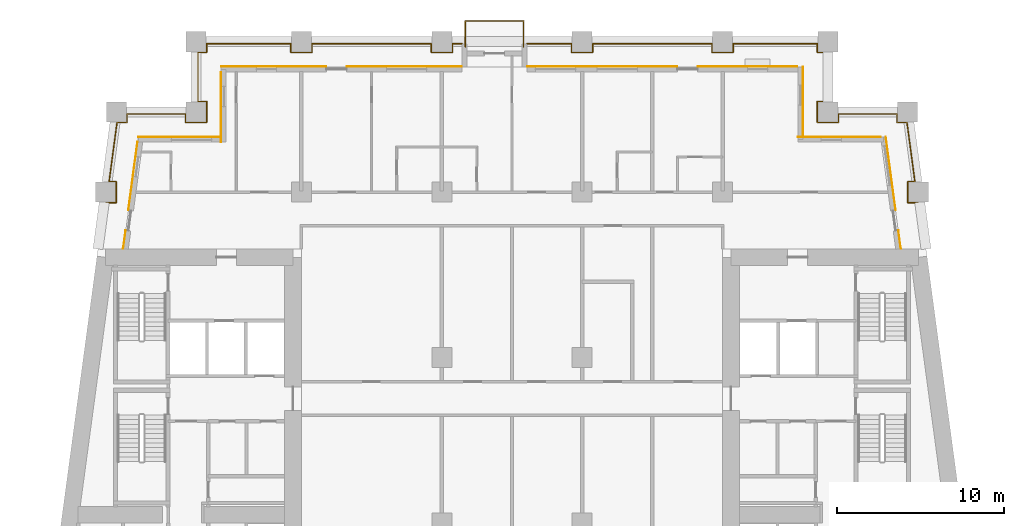
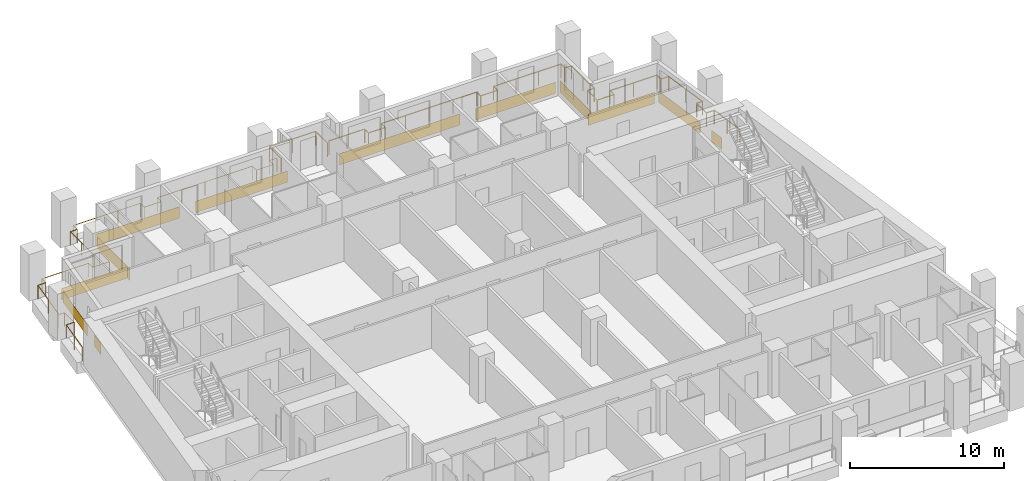
# One storey, part 12 of 13: 12 coverings, 3 railings.
"""IFC4 building model written with IfcOpenShell, lengths in metres."""

from ifc_helpers import new_model, si_unit, direction, frame, origin, origin_2d, place, context, subcontext, project, spatial, rectangle, circle, extrude, material, layer, layer_set, type_object, element, save


model = new_model("IFC4")

# Units and contexts
model_context = context("Model", 3, precision=1e-05, world=origin(), true_north=direction((0.0, 1.0)))
body_context = subcontext(model_context, "Body", "Model", "MODEL_VIEW")
ifc_project = project(units=[si_unit("LENGTHUNIT", "METRE"), si_unit("AREAUNIT", "SQUARE_METRE"), si_unit("VOLUMEUNIT", "CUBIC_METRE"), si_unit("PLANEANGLEUNIT", "RADIAN"), si_unit("MASSUNIT", "GRAM", prefix="KILO")], contexts=[model_context])

# Site, building, storey
site_placement = place(None, origin())
site = spatial("IfcSite", under=ifc_project, at=site_placement, CompositionType="ELEMENT")
building_placement = place(site_placement, origin())
building = spatial("IfcBuilding", under=site, at=building_placement, Name="Candeia Pilgrim Tower and Theatre", CompositionType="ELEMENT")
storey_placement = place(building_placement, frame((0.0, 0.0, 113.199951171875)))
storey = spatial("IfcBuildingStorey", under=building, at=storey_placement, Name="L26", CompositionType="ELEMENT", Elevation=113.199951171875)

# Railings
ifc_material_1 = material(Name="Stainless steel balustrade", Category="steel")
railing_type = type_object("IfcRailingType", Name="G1 loggia guard 1100", PredefinedType="GUARDRAIL", material=ifc_material_1)
railing_1_placement = place(storey_placement, frame((88.758544921875, 132.449951171875, 0.0)))
element("IfcRailing", 1, at=railing_1_placement, inside=storey, type_object=railing_type, Name="Guard L26.2", PredefinedType="GUARDRAIL", context=body_context, shape_type="SweptSolid", body=[
    extrude(circle(Radius=0.02392578125, at=origin_2d()), frame((0.0, 0.0, 1.076171875), z_axis=(0.133433855259, 0.991057720958, 0.0), x_axis=(-0.991057720958, 0.133433855259, 0.0)), (0.0, 0.0, 1.0), 2.74462890625),
    extrude(circle(Radius=0.02392578125, at=origin_2d()), frame((0.3662109375, 2.719970703125, 1.076171875), z_axis=(1.0, 0.0, 0.0), x_axis=(0.0, 1.0, 0.0)), (0.0, 0.0, 1.0), 0.59375),
    extrude(circle(Radius=0.02392578125, at=origin_2d()), frame((0.9599609375, 2.719970703125, 1.076171875), z_axis=(0.0, 1.0, 0.0), x_axis=(-1.0, 0.0, 0.0)), (0.0, 0.0, 1.0), 1.260009765625),
    extrude(circle(Radius=0.02392578125, at=origin_2d()), frame((0.9599609375, 3.97998046875, 1.076171875), z_axis=(-1.0, 0.0, 0.0), x_axis=(0.0, -1.0, 0.0)), (0.0, 0.0, 1.0), 0.424072265625),
    extrude(circle(Radius=0.02392578125, at=origin_2d()), frame((0.535888671875, 3.97998046875, 1.076171875), z_axis=(0.133417176173, 0.991059966451, 0.0), x_axis=(-0.991059966451, 0.133417176173, 0.0)), (0.0, 0.0, 1.0), 3.572021484375),
    extrude(circle(Radius=0.02392578125, at=origin_2d()), frame((1.012451171875, 7.52001953125, 1.076171875), z_axis=(1.0, 0.0, 0.0), x_axis=(0.0, 1.0, 0.0)), (0.0, 0.0, 1.0), 0.593505859375),
    extrude(circle(Radius=0.02392578125, at=origin_2d()), frame((1.60595703125, 7.52001953125, 1.076171875), z_axis=(0.0, 1.0, 0.0), x_axis=(-1.0, 0.0, 0.0)), (0.0, 0.0, 1.0), 0.510009765625),
    extrude(circle(Radius=0.02392578125, at=origin_2d()), frame((1.60595703125, 8.030029296875, 1.076171875), z_axis=(1.0, 0.0, 0.0), x_axis=(0.0, 1.0, 0.0)), (0.0, 0.0, 1.0), 3.505615234375),
    extrude(circle(Radius=0.02392578125, at=origin_2d()), frame((5.111572265625, 8.030029296875, 1.076171875), z_axis=(0.0, -1.0, 0.0), x_axis=(1.0, 0.0, 0.0)), (0.0, 0.0, 1.0), 0.510009765625),
    extrude(circle(Radius=0.02392578125, at=origin_2d()), frame((5.111572265625, 7.52001953125, 1.076171875), z_axis=(1.0, 0.0, 0.0), x_axis=(0.0, 1.0, 0.0)), (0.0, 0.0, 1.0), 1.259765625),
    extrude(circle(Radius=0.02392578125, at=origin_2d()), frame((6.371337890625, 7.52001953125, 1.076171875), z_axis=(0.0, 1.0, 0.0), x_axis=(-1.0, 0.0, 0.0)), (0.0, 0.0, 1.0), 1.260009765625),
    extrude(circle(Radius=0.02392578125, at=origin_2d()), frame((6.371337890625, 8.780029296875, 1.076171875), z_axis=(-1.0, 0.0, 0.0), x_axis=(0.0, -1.0, 0.0)), (0.0, 0.0, 1.0), 0.509765625),
    extrude(circle(Radius=0.02392578125, at=origin_2d()), frame((5.861572265625, 8.780029296875, 1.076171875), z_axis=(0.0, 1.0, 0.0), x_axis=(-1.0, 0.0, 0.0)), (0.0, 0.0, 1.0), 2.93994140625),
    extrude(circle(Radius=0.02392578125, at=origin_2d()), frame((5.861572265625, 11.719970703125, 1.076171875), z_axis=(1.0, 0.0, 0.0), x_axis=(0.0, 1.0, 0.0)), (0.0, 0.0, 1.0), 0.509765625),
    extrude(circle(Radius=0.02392578125, at=origin_2d()), frame((6.371337890625, 11.719970703125, 1.076171875), z_axis=(0.0, 1.0, 0.0), x_axis=(-1.0, 0.0, 0.0)), (0.0, 0.0, 1.0), 0.510009765625),
    extrude(circle(Radius=0.02392578125, at=origin_2d()), frame((6.371337890625, 12.22998046875, 1.076171875), z_axis=(1.0, 0.0, 0.0), x_axis=(0.0, 1.0, 0.0)), (0.0, 0.0, 1.0), 5.0400390625),
    extrude(circle(Radius=0.02392578125, at=origin_2d()), frame((11.411376953125, 12.22998046875, 1.076171875), z_axis=(0.0, -1.0, 0.0), x_axis=(1.0, 0.0, 0.0)), (0.0, 0.0, 1.0), 0.510009765625),
    extrude(circle(Radius=0.02392578125, at=origin_2d()), frame((11.411376953125, 11.719970703125, 1.076171875), z_axis=(1.0, 0.0, 0.0), x_axis=(0.0, 1.0, 0.0)), (0.0, 0.0, 1.0), 1.260009765625),
    extrude(circle(Radius=0.02392578125, at=origin_2d()), frame((12.67138671875, 11.719970703125, 1.076171875), z_axis=(0.0, 1.0, 0.0), x_axis=(-1.0, 0.0, 0.0)), (0.0, 0.0, 1.0), 0.510009765625),
    extrude(circle(Radius=0.02392578125, at=origin_2d()), frame((12.67138671875, 12.22998046875, 1.076171875), z_axis=(1.0, 0.0, 0.0), x_axis=(0.0, 1.0, 0.0)), (0.0, 0.0, 1.0), 7.14013671875),
    extrude(circle(Radius=0.02392578125, at=origin_2d()), frame((19.8115234375, 12.22998046875, 1.076171875), z_axis=(0.0, -1.0, 0.0), x_axis=(1.0, 0.0, 0.0)), (0.0, 0.0, 1.0), 0.510009765625),
    extrude(circle(Radius=0.02392578125, at=origin_2d()), frame((19.8115234375, 11.719970703125, 1.076171875), z_axis=(1.0, 0.0, 0.0), x_axis=(0.0, 1.0, 0.0)), (0.0, 0.0, 1.0), 1.260009765625),
    extrude(circle(Radius=0.02392578125, at=origin_2d()), frame((21.071533203125, 11.719970703125, 1.076171875), z_axis=(0.0, 1.0, 0.0), x_axis=(-1.0, 0.0, 0.0)), (0.0, 0.0, 1.0), 0.510009765625),
    extrude(circle(Radius=0.02392578125, at=origin_2d()), frame((21.071533203125, 12.22998046875, 1.076171875), z_axis=(1.0, 0.0, 0.0), x_axis=(0.0, 1.0, 0.0)), (0.0, 0.0, 1.0), 0.56982421875),
    extrude(circle(Radius=0.02099609375, at=origin_2d()), origin(), (0.0, 0.0, 1.0), 1.052001953125),
    extrude(circle(Radius=0.02099609375, at=origin_2d()), frame((0.18310546875, 1.35986328125, 0.0)), (0.0, 0.0, 1.0), 1.052001953125),
    extrude(circle(Radius=0.02099609375, at=origin_2d()), frame((0.3662109375, 2.719970703125, 0.0)), (0.0, 0.0, 1.0), 1.052001953125),
    extrude(circle(Radius=0.02099609375, at=origin_2d()), frame((0.9599609375, 2.719970703125, 0.0)), (0.0, 0.0, 1.0), 1.052001953125),
    extrude(circle(Radius=0.02099609375, at=origin_2d()), frame((0.9599609375, 3.97998046875, 0.0)), (0.0, 0.0, 1.0), 1.052001953125),
    extrude(circle(Radius=0.02099609375, at=origin_2d()), frame((0.535888671875, 3.97998046875, 0.0)), (0.0, 0.0, 1.0), 1.052001953125),
    extrude(circle(Radius=0.02099609375, at=origin_2d()), frame((0.774169921875, 5.75, 0.0)), (0.0, 0.0, 1.0), 1.052001953125),
    extrude(circle(Radius=0.02099609375, at=origin_2d()), frame((1.012451171875, 7.52001953125, 0.0)), (0.0, 0.0, 1.0), 1.052001953125),
    extrude(circle(Radius=0.02099609375, at=origin_2d()), frame((1.60595703125, 7.52001953125, 0.0)), (0.0, 0.0, 1.0), 1.052001953125),
    extrude(circle(Radius=0.02099609375, at=origin_2d()), frame((1.60595703125, 8.030029296875, 0.0)), (0.0, 0.0, 1.0), 1.052001953125),
    extrude(circle(Radius=0.02099609375, at=origin_2d()), frame((3.35888671875, 8.030029296875, 0.0)), (0.0, 0.0, 1.0), 1.052001953125),
    extrude(circle(Radius=0.02099609375, at=origin_2d()), frame((5.111572265625, 8.030029296875, 0.0)), (0.0, 0.0, 1.0), 1.052001953125),
    extrude(circle(Radius=0.02099609375, at=origin_2d()), frame((5.111572265625, 7.52001953125, 0.0)), (0.0, 0.0, 1.0), 1.052001953125),
    extrude(circle(Radius=0.02099609375, at=origin_2d()), frame((6.371337890625, 7.52001953125, 0.0)), (0.0, 0.0, 1.0), 1.052001953125),
    extrude(circle(Radius=0.02099609375, at=origin_2d()), frame((6.371337890625, 8.780029296875, 0.0)), (0.0, 0.0, 1.0), 1.052001953125),
    extrude(circle(Radius=0.02099609375, at=origin_2d()), frame((5.861572265625, 8.780029296875, 0.0)), (0.0, 0.0, 1.0), 1.052001953125),
    extrude(circle(Radius=0.02099609375, at=origin_2d()), frame((5.861572265625, 10.25, 0.0)), (0.0, 0.0, 1.0), 1.052001953125),
    extrude(circle(Radius=0.02099609375, at=origin_2d()), frame((5.861572265625, 11.719970703125, 0.0)), (0.0, 0.0, 1.0), 1.052001953125),
    extrude(circle(Radius=0.02099609375, at=origin_2d()), frame((6.371337890625, 11.719970703125, 0.0)), (0.0, 0.0, 1.0), 1.052001953125),
    extrude(circle(Radius=0.02099609375, at=origin_2d()), frame((6.371337890625, 12.22998046875, 0.0)), (0.0, 0.0, 1.0), 1.052001953125),
    extrude(circle(Radius=0.02099609375, at=origin_2d()), frame((8.05126953125, 12.22998046875, 0.0)), (0.0, 0.0, 1.0), 1.052001953125),
    extrude(circle(Radius=0.02099609375, at=origin_2d()), frame((9.7314453125, 12.22998046875, 0.0)), (0.0, 0.0, 1.0), 1.052001953125),
    extrude(circle(Radius=0.02099609375, at=origin_2d()), frame((11.411376953125, 12.22998046875, 0.0)), (0.0, 0.0, 1.0), 1.052001953125),
    extrude(circle(Radius=0.02099609375, at=origin_2d()), frame((11.411376953125, 11.719970703125, 0.0)), (0.0, 0.0, 1.0), 1.052001953125),
    extrude(circle(Radius=0.02099609375, at=origin_2d()), frame((12.67138671875, 11.719970703125, 0.0)), (0.0, 0.0, 1.0), 1.052001953125),
    extrude(circle(Radius=0.02099609375, at=origin_2d()), frame((12.67138671875, 12.22998046875, 0.0)), (0.0, 0.0, 1.0), 1.052001953125),
    extrude(circle(Radius=0.02099609375, at=origin_2d()), frame((14.45654296875, 12.22998046875, 0.0)), (0.0, 0.0, 1.0), 1.052001953125),
    extrude(circle(Radius=0.02099609375, at=origin_2d()), frame((16.241455078125, 12.22998046875, 0.0)), (0.0, 0.0, 1.0), 1.052001953125),
    extrude(circle(Radius=0.02099609375, at=origin_2d()), frame((18.0263671875, 12.22998046875, 0.0)), (0.0, 0.0, 1.0), 1.052001953125),
    extrude(circle(Radius=0.02099609375, at=origin_2d()), frame((19.8115234375, 12.22998046875, 0.0)), (0.0, 0.0, 1.0), 1.052001953125),
    extrude(circle(Radius=0.02099609375, at=origin_2d()), frame((19.8115234375, 11.719970703125, 0.0)), (0.0, 0.0, 1.0), 1.052001953125),
    extrude(circle(Radius=0.02099609375, at=origin_2d()), frame((21.071533203125, 11.719970703125, 0.0)), (0.0, 0.0, 1.0), 1.052001953125),
    extrude(circle(Radius=0.02099609375, at=origin_2d()), frame((21.071533203125, 12.22998046875, 0.0)), (0.0, 0.0, 1.0), 1.052001953125),
    extrude(circle(Radius=0.02099609375, at=origin_2d()), frame((21.641357421875, 12.22998046875, 0.0)), (0.0, 0.0, 1.0), 1.052001953125),
])
railing_2_placement = place(storey_placement, frame((114.300048828125, 144.679931640625, 0.0)))
element("IfcRailing", 2, at=railing_2_placement, inside=storey, type_object=railing_type, Name="Guard L26.3", PredefinedType="GUARDRAIL", context=body_context, shape_type="SweptSolid", body=[
    extrude(circle(Radius=0.02392578125, at=origin_2d()), frame((0.0, 0.0, 1.076171875), z_axis=(1.0, 0.0, 0.0), x_axis=(0.0, 1.0, 0.0)), (0.0, 0.0, 1.0), 2.669921875),
    extrude(circle(Radius=0.02392578125, at=origin_2d()), frame((2.669921875, 0.0, 1.076171875), z_axis=(0.0, -1.0, 0.0), x_axis=(1.0, 0.0, 0.0)), (0.0, 0.0, 1.0), 0.510009765625),
    extrude(circle(Radius=0.02392578125, at=origin_2d()), frame((2.669921875, -0.510009765625, 1.076171875), z_axis=(1.0, 0.0, 0.0), x_axis=(0.0, 1.0, 0.0)), (0.0, 0.0, 1.0), 1.260009765625),
    extrude(circle(Radius=0.02392578125, at=origin_2d()), frame((3.929931640625, -0.510009765625, 1.076171875), z_axis=(0.0, 1.0, 0.0), x_axis=(-1.0, 0.0, 0.0)), (0.0, 0.0, 1.0), 0.510009765625),
    extrude(circle(Radius=0.02392578125, at=origin_2d()), frame((3.929931640625, 0.0, 1.076171875), z_axis=(1.0, 0.0, 0.0), x_axis=(0.0, 1.0, 0.0)), (0.0, 0.0, 1.0), 7.14013671875),
    extrude(circle(Radius=0.02392578125, at=origin_2d()), frame((11.070068359375, 0.0, 1.076171875), z_axis=(0.0, -1.0, 0.0), x_axis=(1.0, 0.0, 0.0)), (0.0, 0.0, 1.0), 0.510009765625),
    extrude(circle(Radius=0.02392578125, at=origin_2d()), frame((11.070068359375, -0.510009765625, 1.076171875), z_axis=(1.0, 0.0, 0.0), x_axis=(0.0, 1.0, 0.0)), (0.0, 0.0, 1.0), 1.259765625),
    extrude(circle(Radius=0.02392578125, at=origin_2d()), frame((12.329833984375, -0.510009765625, 1.076171875), z_axis=(0.0, 1.0, 0.0), x_axis=(-1.0, 0.0, 0.0)), (0.0, 0.0, 1.0), 0.510009765625),
    extrude(circle(Radius=0.02392578125, at=origin_2d()), frame((12.329833984375, 0.0, 1.076171875), z_axis=(1.0, 0.0, 0.0), x_axis=(0.0, 1.0, 0.0)), (0.0, 0.0, 1.0), 5.0400390625),
    extrude(circle(Radius=0.02392578125, at=origin_2d()), frame((17.369873046875, 0.0, 1.076171875), z_axis=(0.0, -1.0, 0.0), x_axis=(1.0, 0.0, 0.0)), (0.0, 0.0, 1.0), 0.510009765625),
    extrude(circle(Radius=0.02392578125, at=origin_2d()), frame((17.369873046875, -0.510009765625, 1.076171875), z_axis=(1.0, 0.0, 0.0), x_axis=(0.0, 1.0, 0.0)), (0.0, 0.0, 1.0), 0.510009765625),
    extrude(circle(Radius=0.02392578125, at=origin_2d()), frame((17.8798828125, -0.510009765625, 1.076171875), z_axis=(0.0, -1.0, 0.0), x_axis=(1.0, 0.0, 0.0)), (0.0, 0.0, 1.0), 2.93994140625),
    extrude(circle(Radius=0.02392578125, at=origin_2d()), frame((17.8798828125, -3.449951171875, 1.076171875), z_axis=(-1.0, 0.0, 0.0), x_axis=(0.0, -1.0, 0.0)), (0.0, 0.0, 1.0), 0.510009765625),
    extrude(circle(Radius=0.02392578125, at=origin_2d()), frame((17.369873046875, -3.449951171875, 1.076171875), z_axis=(0.0, -1.0, 0.0), x_axis=(1.0, 0.0, 0.0)), (0.0, 0.0, 1.0), 1.260009765625),
    extrude(circle(Radius=0.02392578125, at=origin_2d()), frame((17.369873046875, -4.7099609375, 1.076171875), z_axis=(1.0, 0.0, 0.0), x_axis=(0.0, 1.0, 0.0)), (0.0, 0.0, 1.0), 1.260009765625),
    extrude(circle(Radius=0.02392578125, at=origin_2d()), frame((18.6298828125, -4.7099609375, 1.076171875), z_axis=(0.0, 1.0, 0.0), x_axis=(-1.0, 0.0, 0.0)), (0.0, 0.0, 1.0), 0.510009765625),
    extrude(circle(Radius=0.02392578125, at=origin_2d()), frame((18.6298828125, -4.199951171875, 1.076171875), z_axis=(1.0, 0.0, 0.0), x_axis=(0.0, 1.0, 0.0)), (0.0, 0.0, 1.0), 3.50537109375),
    extrude(circle(Radius=0.02392578125, at=origin_2d()), frame((22.13525390625, -4.199951171875, 1.076171875), z_axis=(0.0, -1.0, 0.0), x_axis=(1.0, 0.0, 0.0)), (0.0, 0.0, 1.0), 0.510009765625),
    extrude(circle(Radius=0.02392578125, at=origin_2d()), frame((22.13525390625, -4.7099609375, 1.076171875), z_axis=(1.0, 0.0, 0.0), x_axis=(0.0, 1.0, 0.0)), (0.0, 0.0, 1.0), 0.59375),
    extrude(circle(Radius=0.02392578125, at=origin_2d()), frame((22.72900390625, -4.7099609375, 1.076171875), z_axis=(0.133417176173, -0.991059966451, 0.0), x_axis=(0.991059966451, 0.133417176173, 0.0)), (0.0, 0.0, 1.0), 3.572021484375),
    extrude(circle(Radius=0.02392578125, at=origin_2d()), frame((23.20556640625, -8.25, 1.076171875), z_axis=(-1.0, 0.0, 0.0), x_axis=(0.0, -1.0, 0.0)), (0.0, 0.0, 1.0), 0.424072265625),
    extrude(circle(Radius=0.02392578125, at=origin_2d()), frame((22.781494140625, -8.25, 1.076171875), z_axis=(0.0, -1.0, 0.0), x_axis=(1.0, 0.0, 0.0)), (0.0, 0.0, 1.0), 1.260009765625),
    extrude(circle(Radius=0.02392578125, at=origin_2d()), frame((22.781494140625, -9.510009765625, 1.076171875), z_axis=(1.0, 0.0, 0.0), x_axis=(0.0, 1.0, 0.0)), (0.0, 0.0, 1.0), 0.59375),
    extrude(circle(Radius=0.02392578125, at=origin_2d()), frame((23.375244140625, -9.510009765625, 1.076171875), z_axis=(0.133433855259, -0.991057720958, 0.0), x_axis=(0.991057720958, 0.133433855259, 0.0)), (0.0, 0.0, 1.0), 2.74462890625),
    extrude(circle(Radius=0.02099609375, at=origin_2d()), origin(), (0.0, 0.0, 1.0), 1.052001953125),
    extrude(circle(Radius=0.02099609375, at=origin_2d()), frame((1.3349609375, 0.0, 0.0)), (0.0, 0.0, 1.0), 1.052001953125),
    extrude(circle(Radius=0.02099609375, at=origin_2d()), frame((2.669921875, 0.0, 0.0)), (0.0, 0.0, 1.0), 1.052001953125),
    extrude(circle(Radius=0.02099609375, at=origin_2d()), frame((2.669921875, -0.510009765625, 0.0)), (0.0, 0.0, 1.0), 1.052001953125),
    extrude(circle(Radius=0.02099609375, at=origin_2d()), frame((3.929931640625, -0.510009765625, 0.0)), (0.0, 0.0, 1.0), 1.052001953125),
    extrude(circle(Radius=0.02099609375, at=origin_2d()), frame((3.929931640625, 0.0, 0.0)), (0.0, 0.0, 1.0), 1.052001953125),
    extrude(circle(Radius=0.02099609375, at=origin_2d()), frame((5.71484375, 0.0, 0.0)), (0.0, 0.0, 1.0), 1.052001953125),
    extrude(circle(Radius=0.02099609375, at=origin_2d()), frame((7.5, 0.0, 0.0)), (0.0, 0.0, 1.0), 1.052001953125),
    extrude(circle(Radius=0.02099609375, at=origin_2d()), frame((9.28515625, 0.0, 0.0)), (0.0, 0.0, 1.0), 1.052001953125),
    extrude(circle(Radius=0.02099609375, at=origin_2d()), frame((11.070068359375, 0.0, 0.0)), (0.0, 0.0, 1.0), 1.052001953125),
    extrude(circle(Radius=0.02099609375, at=origin_2d()), frame((11.070068359375, -0.510009765625, 0.0)), (0.0, 0.0, 1.0), 1.052001953125),
    extrude(circle(Radius=0.02099609375, at=origin_2d()), frame((12.329833984375, -0.510009765625, 0.0)), (0.0, 0.0, 1.0), 1.052001953125),
    extrude(circle(Radius=0.02099609375, at=origin_2d()), frame((12.329833984375, 0.0, 0.0)), (0.0, 0.0, 1.0), 1.052001953125),
    extrude(circle(Radius=0.02099609375, at=origin_2d()), frame((14.009765625, 0.0, 0.0)), (0.0, 0.0, 1.0), 1.052001953125),
    extrude(circle(Radius=0.02099609375, at=origin_2d()), frame((15.68994140625, 0.0, 0.0)), (0.0, 0.0, 1.0), 1.052001953125),
    extrude(circle(Radius=0.02099609375, at=origin_2d()), frame((17.369873046875, 0.0, 0.0)), (0.0, 0.0, 1.0), 1.052001953125),
    extrude(circle(Radius=0.02099609375, at=origin_2d()), frame((17.369873046875, -0.510009765625, 0.0)), (0.0, 0.0, 1.0), 1.052001953125),
    extrude(circle(Radius=0.02099609375, at=origin_2d()), frame((17.8798828125, -0.510009765625, 0.0)), (0.0, 0.0, 1.0), 1.052001953125),
    extrude(circle(Radius=0.02099609375, at=origin_2d()), frame((17.8798828125, -1.97998046875, 0.0)), (0.0, 0.0, 1.0), 1.052001953125),
    extrude(circle(Radius=0.02099609375, at=origin_2d()), frame((17.8798828125, -3.449951171875, 0.0)), (0.0, 0.0, 1.0), 1.052001953125),
    extrude(circle(Radius=0.02099609375, at=origin_2d()), frame((17.369873046875, -3.449951171875, 0.0)), (0.0, 0.0, 1.0), 1.052001953125),
    extrude(circle(Radius=0.02099609375, at=origin_2d()), frame((17.369873046875, -4.7099609375, 0.0)), (0.0, 0.0, 1.0), 1.052001953125),
    extrude(circle(Radius=0.02099609375, at=origin_2d()), frame((18.6298828125, -4.7099609375, 0.0)), (0.0, 0.0, 1.0), 1.052001953125),
    extrude(circle(Radius=0.02099609375, at=origin_2d()), frame((18.6298828125, -4.199951171875, 0.0)), (0.0, 0.0, 1.0), 1.052001953125),
    extrude(circle(Radius=0.02099609375, at=origin_2d()), frame((20.382568359375, -4.199951171875, 0.0)), (0.0, 0.0, 1.0), 1.052001953125),
    extrude(circle(Radius=0.02099609375, at=origin_2d()), frame((22.13525390625, -4.199951171875, 0.0)), (0.0, 0.0, 1.0), 1.052001953125),
    extrude(circle(Radius=0.02099609375, at=origin_2d()), frame((22.13525390625, -4.7099609375, 0.0)), (0.0, 0.0, 1.0), 1.052001953125),
    extrude(circle(Radius=0.02099609375, at=origin_2d()), frame((22.72900390625, -4.7099609375, 0.0)), (0.0, 0.0, 1.0), 1.052001953125),
    extrude(circle(Radius=0.02099609375, at=origin_2d()), frame((22.96728515625, -6.47998046875, 0.0)), (0.0, 0.0, 1.0), 1.052001953125),
    extrude(circle(Radius=0.02099609375, at=origin_2d()), frame((23.20556640625, -8.25, 0.0)), (0.0, 0.0, 1.0), 1.052001953125),
    extrude(circle(Radius=0.02099609375, at=origin_2d()), frame((22.781494140625, -8.25, 0.0)), (0.0, 0.0, 1.0), 1.052001953125),
    extrude(circle(Radius=0.02099609375, at=origin_2d()), frame((22.781494140625, -9.510009765625, 0.0)), (0.0, 0.0, 1.0), 1.052001953125),
    extrude(circle(Radius=0.02099609375, at=origin_2d()), frame((23.375244140625, -9.510009765625, 0.0)), (0.0, 0.0, 1.0), 1.052001953125),
    extrude(circle(Radius=0.02099609375, at=origin_2d()), frame((23.558349609375, -10.8701171875, 0.0)), (0.0, 0.0, 1.0), 1.052001953125),
    extrude(circle(Radius=0.02099609375, at=origin_2d()), frame((23.741455078125, -12.22998046875, 0.0)), (0.0, 0.0, 1.0), 1.052001953125),
])
railing_3_placement = place(storey_placement, frame((110.610107421875, 144.5, 0.0)))
element("IfcRailing", 3, at=railing_3_placement, inside=storey, type_object=railing_type, Name="Balcony guard L26", PredefinedType="GUARDRAIL", context=body_context, shape_type="SweptSolid", body=[
    extrude(circle(Radius=0.02392578125, at=origin_2d()), frame((0.0, 0.0, 1.076171875), z_axis=(0.0, 1.0, 0.0), x_axis=(-1.0, 0.0, 0.0)), (0.0, 0.0, 1.0), 1.5400390625),
    extrude(circle(Radius=0.02392578125, at=origin_2d()), frame((0.0, 1.5400390625, 1.076171875), z_axis=(1.0, 0.0, 0.0), x_axis=(0.0, 1.0, 0.0)), (0.0, 0.0, 1.0), 3.47998046875),
    extrude(circle(Radius=0.02392578125, at=origin_2d()), frame((3.47998046875, 1.5400390625, 1.076171875), z_axis=(0.0, -1.0, 0.0), x_axis=(1.0, 0.0, 0.0)), (0.0, 0.0, 1.0), 1.5400390625),
    extrude(circle(Radius=0.02099609375, at=origin_2d()), origin(), (0.0, 0.0, 1.0), 1.052001953125),
    extrude(circle(Radius=0.02099609375, at=origin_2d()), frame((0.0, 1.5400390625, 0.0)), (0.0, 0.0, 1.0), 1.052001953125),
    extrude(circle(Radius=0.02099609375, at=origin_2d()), frame((1.739990234375, 1.5400390625, 0.0)), (0.0, 0.0, 1.0), 1.052001953125),
    extrude(circle(Radius=0.02099609375, at=origin_2d()), frame((3.47998046875, 1.5400390625, 0.0)), (0.0, 0.0, 1.0), 1.052001953125),
    extrude(circle(Radius=0.02099609375, at=origin_2d()), frame((3.47998046875, 0.0, 0.0)), (0.0, 0.0, 1.0), 1.052001953125),
])

# Coverings
ifc_material_2 = material(Name="Glazed ceramic tile red")
ifc_layer = layer(ifc_material_2, 0.02001953125)
ifc_layer_set = layer_set([ifc_layer], Name="Glazed ceramic tile red")
covering_type = type_object("IfcCoveringType", Name="Glazed ceramic tile red", PredefinedType="CLADDING", material=ifc_layer_set)
covering_1_placement = place(storey_placement, frame((136.588623046875, 132.97412109375, 0.0), z_axis=(0.0, 0.0, 1.0), x_axis=(-0.133412012145, 0.991060661622, 0.0)))
element("IfcCovering", 4, at=covering_1_placement, inside=storey, type_object=covering_type, Name="Tile cladding red L26", PredefinedType="CLADDING", context=body_context, shape_type="SweptSolid", body=[
    extrude(rectangle(XDim=1.115234375, YDim=0.02001953125, at=origin_2d()), origin(), (0.0, 0.0, 1.0), 0.89990234375),
])
covering_2_placement = place(storey_placement, frame((136.058837890625, 136.90869140625, 0.0), z_axis=(0.0, 0.0, 1.0), x_axis=(-0.133412012145, 0.991060661622, 0.0)))
element("IfcCovering", 5, at=covering_2_placement, inside=storey, type_object=covering_type, Name="Tile cladding red L26", PredefinedType="CLADDING", context=body_context, shape_type="SweptSolid", body=[
    extrude(rectangle(XDim=4.4248046875, YDim=0.02001953125, at=origin_2d()), origin(), (0.0, 0.0, 1.0), 0.89990234375),
])
covering_3_placement = place(storey_placement, frame((132.976318359375, 139.110107421875, 0.0), z_axis=(0.0, 0.0, 1.0), x_axis=(-1.0, 0.0, 0.0)))
element("IfcCovering", 6, at=covering_3_placement, inside=storey, type_object=covering_type, Name="Tile cladding red L26", PredefinedType="CLADDING", context=body_context, shape_type="SweptSolid", body=[
    extrude(rectangle(XDim=4.95263671875, YDim=0.02001953125, at=origin_2d()), origin(), (0.0, 0.0, 1.0), 0.89990234375),
])
covering_4_placement = place(storey_placement, frame((130.81005859375, 141.2099609375, 0.0), z_axis=(0.0, 0.0, 1.0), x_axis=(0.0, 1.0, 0.0)))
element("IfcCovering", 7, at=covering_4_placement, inside=storey, type_object=covering_type, Name="Tile cladding red L26", PredefinedType="CLADDING", context=body_context, shape_type="SweptSolid", body=[
    extrude(rectangle(XDim=4.179931640625, YDim=0.02001953125, at=origin_2d()), origin(), (0.0, 0.0, 1.0), 0.89990234375),
])
covering_5_placement = place(storey_placement, frame((127.489990234375, 143.31005859375, 0.0), z_axis=(0.0, 0.0, 1.0), x_axis=(-1.0, 0.0, 0.0)))
element("IfcCovering", 8, at=covering_5_placement, inside=storey, type_object=covering_type, Name="Tile cladding red L26", PredefinedType="CLADDING", context=body_context, shape_type="SweptSolid", body=[
    extrude(rectangle(XDim=5.97998046875, YDim=0.02001953125, at=origin_2d()), origin(), (0.0, 0.0, 1.0), 0.89990234375),
])
covering_6_placement = place(storey_placement, frame((118.800048828125, 143.31005859375, 0.0), z_axis=(0.0, 0.0, 1.0), x_axis=(-1.0, 0.0, 0.0)))
element("IfcCovering", 9, at=covering_6_placement, inside=storey, type_object=covering_type, Name="Tile cladding red L26", PredefinedType="CLADDING", context=body_context, shape_type="SweptSolid", body=[
    extrude(rectangle(XDim=9.0, YDim=0.02001953125, at=origin_2d()), origin(), (0.0, 0.0, 1.0), 0.89990234375),
])
covering_7_placement = place(storey_placement, frame((106.949951171875, 143.31005859375, 0.0), z_axis=(0.0, 0.0, 1.0), x_axis=(-1.0, 0.0, 0.0)))
element("IfcCovering", 10, at=covering_7_placement, inside=storey, type_object=covering_type, Name="Tile cladding red L26", PredefinedType="CLADDING", context=body_context, shape_type="SweptSolid", body=[
    extrude(rectangle(XDim=6.89990234375, YDim=0.02001953125, at=origin_2d()), origin(), (0.0, 0.0, 1.0), 0.89990234375),
])
covering_8_placement = place(storey_placement, frame((99.14990234375, 143.31005859375, 0.0), z_axis=(0.0, 0.0, 1.0), x_axis=(-1.0, 0.0, 0.0)))
element("IfcCovering", 11, at=covering_8_placement, inside=storey, type_object=covering_type, Name="Tile cladding red L26", PredefinedType="CLADDING", context=body_context, shape_type="SweptSolid", body=[
    extrude(rectangle(XDim=6.300048828125, YDim=0.02001953125, at=origin_2d()), origin(), (0.0, 0.0, 1.0), 0.89990234375),
])
covering_9_placement = place(storey_placement, frame((95.989990234375, 140.889892578125, 0.0), z_axis=(0.0, 0.0, 1.0), x_axis=(0.0, -1.0, 0.0)))
element("IfcCovering", 12, at=covering_9_placement, inside=storey, type_object=covering_type, Name="Tile cladding red L26", PredefinedType="CLADDING", context=body_context, shape_type="SweptSolid", body=[
    extrude(rectangle(XDim=4.179931640625, YDim=0.02001953125, at=origin_2d()), origin(), (0.0, 0.0, 1.0), 0.89990234375),
])
covering_10_placement = place(storey_placement, frame((93.51318359375, 139.110107421875, 0.0), z_axis=(0.0, 0.0, 1.0), x_axis=(-1.0, 0.0, 0.0)))
element("IfcCovering", 13, at=covering_10_placement, inside=storey, type_object=covering_type, Name="Tile cladding red L26", PredefinedType="CLADDING", context=body_context, shape_type="SweptSolid", body=[
    extrude(rectangle(XDim=4.933837890625, YDim=0.02001953125, at=origin_2d()), origin(), (0.0, 0.0, 1.0), 0.89990234375),
])
covering_11_placement = place(storey_placement, frame((90.720947265625, 136.759521484375, 0.0), z_axis=(0.0, 0.0, 1.0), x_axis=(-0.133412012145, -0.991060661622, 0.0)))
element("IfcCovering", 14, at=covering_11_placement, inside=storey, type_object=covering_type, Name="Tile cladding red L26", PredefinedType="CLADDING", context=body_context, shape_type="SweptSolid", body=[
    extrude(rectangle(XDim=4.123779296875, YDim=0.02001953125, at=origin_2d()), origin(), (0.0, 0.0, 1.0), 0.89990234375),
])
covering_12_placement = place(storey_placement, frame((90.21142578125, 132.97412109375, 0.0), z_axis=(0.0, 0.0, 1.0), x_axis=(-0.133412012145, -0.991060661622, 0.0)))
element("IfcCovering", 15, at=covering_12_placement, inside=storey, type_object=covering_type, Name="Tile cladding red L26", PredefinedType="CLADDING", context=body_context, shape_type="SweptSolid", body=[
    extrude(rectangle(XDim=1.115234375, YDim=0.02001953125, at=origin_2d()), origin(), (0.0, 0.0, 1.0), 0.89990234375),
])

save(model, "model.ifc")
